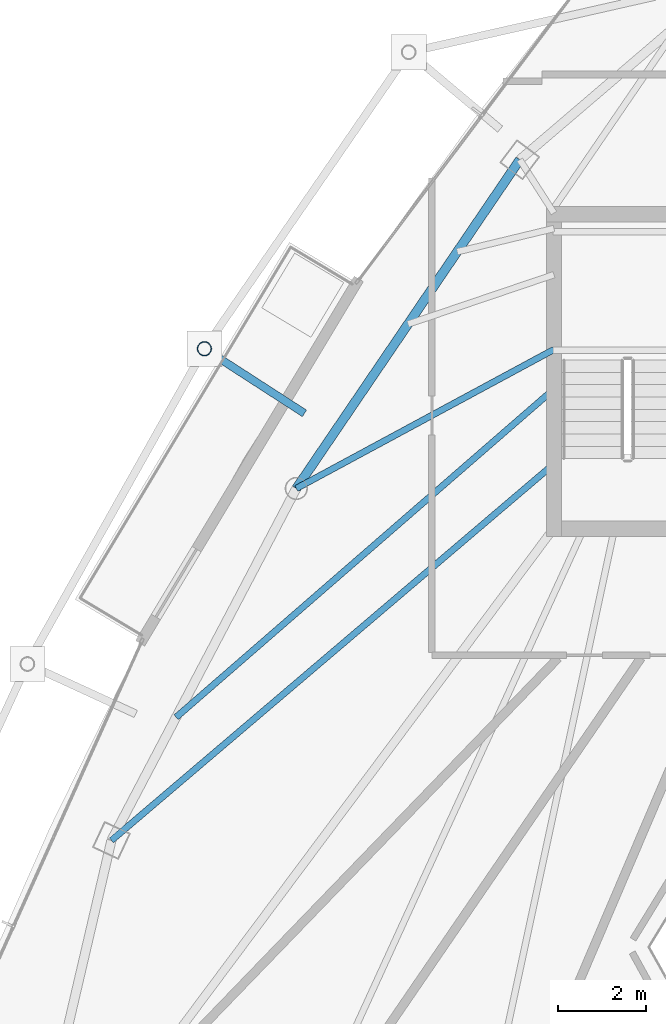
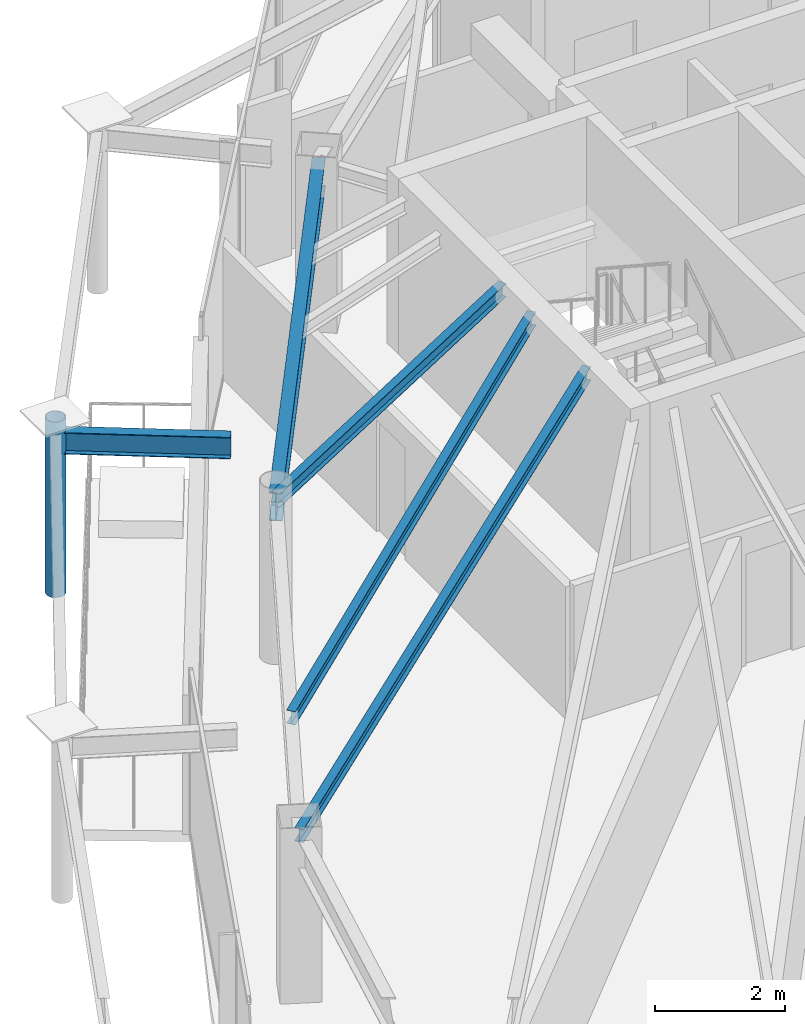
# One storey, part 11 of 28: 5 beams, 1 member.
"""IFC4 building model written with IfcOpenShell, lengths in metres."""

from ifc_helpers import new_model, si_unit, direction, frame, origin, origin_2d, place, context, subcontext, project, spatial, hollow_circle, i_section, extrude, material, material_profile, profile_set, type_object, element, save


model = new_model("IFC4")

# Units and contexts
model_context = context("Model", 3, precision=1e-05, world=origin(), true_north=direction((0.0, 1.0)))
body_context = subcontext(model_context, "Body", "Model", "MODEL_VIEW")
ifc_project = project(units=[si_unit("LENGTHUNIT", "METRE"), si_unit("AREAUNIT", "SQUARE_METRE"), si_unit("VOLUMEUNIT", "CUBIC_METRE"), si_unit("PLANEANGLEUNIT", "RADIAN"), si_unit("MASSUNIT", "GRAM", prefix="KILO")], contexts=[model_context])

# Site, building, storey
site_placement = place(None, origin())
site = spatial("IfcSite", under=ifc_project, at=site_placement, CompositionType="ELEMENT")
building_placement = place(site_placement, origin())
building = spatial("IfcBuilding", under=site, at=building_placement, Name="Orvanel Arch Residences", CompositionType="ELEMENT")
storey_placement = place(building_placement, frame((0.0, 0.0, 266.75)))
storey = spatial("IfcBuildingStorey", under=building, at=storey_placement, Name="L76", CompositionType="ELEMENT", Elevation=266.75)

# Beams
ifc_material_1 = material(Name="Structural steel AS/NZS 3679.1 Grade 300 (300 MPa)", Category="steel")
ifc_material_profile_1 = material_profile(ifc_material_1, i_section(OverallWidth=0.14599609375, OverallDepth=0.251953125, WebThickness=0.006103515625, FlangeThickness=0.008544921875, at=origin_2d()), Name="250UB31.4")
ifc_profile_set_1 = profile_set([ifc_material_profile_1], Name="Structural steel AS/NZS 3679.1 Grade 300 (300 MPa)")
beam_type_1 = type_object("IfcBeamType", Name="BJ-250UB", PredefinedType="JOIST", material=ifc_profile_set_1)
beam_1_placement = place(storey_placement, frame((26.425048828125, 30.800048828125, 2.93408203125), z_axis=(-0.880111494021, -0.474767056664, 0.0), x_axis=(0.474767056664, -0.880111494021, 0.0)))
element("IfcBeam", 1, at=beam_1_placement, inside=storey, type_object=beam_type_1, Name="L76 NW Wing Floor Joist", PredefinedType="JOIST", context=body_context, shape_type="SweptSolid", body=[
    extrude(i_section(OverallWidth=0.14599609375, OverallDepth=0.251953125, WebThickness=0.006103515625, FlangeThickness=0.008544921875, at=origin_2d()), origin(), (0.0, 0.0, 1.0), 6.653564453125),
])
beam_2_placement = place(storey_placement, frame((26.425048828125, 28.199951171875, 2.93408203125), z_axis=(-0.761622669031, -0.64802076357, 0.0), x_axis=(0.64802076357, -0.761622669031, 0.0)))
element("IfcBeam", 2, at=beam_2_placement, inside=storey, type_object=beam_type_1, Name="L76 W Wing Floor Joist", PredefinedType="JOIST", context=body_context, shape_type="SweptSolid", body=[
    extrude(i_section(OverallWidth=0.14599609375, OverallDepth=0.251953125, WebThickness=0.006103515625, FlangeThickness=0.008544921875, at=origin_2d()), origin(), (0.0, 0.0, 1.0), 13.2060546875),
])
beam_3_placement = place(storey_placement, frame((26.425048828125, 29.89990234375, 2.93408203125), z_axis=(-0.755000957585, -0.655723687269, 0.0), x_axis=(0.655723687269, -0.755000957585, 0.0)))
element("IfcBeam", 3, at=beam_3_placement, inside=storey, type_object=beam_type_1, Name="L76 CTW Wing Floor Joist", PredefinedType="JOIST", context=body_context, shape_type="SweptSolid", body=[
    extrude(i_section(OverallWidth=0.14599609375, OverallDepth=0.251953125, WebThickness=0.006103515625, FlangeThickness=0.008544921875, at=origin_2d()), origin(), (0.0, 0.0, 1.0), 11.373779296875),
])
ifc_material_profile_2 = material_profile(ifc_material_1, i_section(OverallWidth=0.177978515625, OverallDepth=0.406005859375, WebThickness=0.0078125, FlangeThickness=0.0126953125, at=origin_2d()), Name="410UB59.7")
ifc_profile_set_2 = profile_set([ifc_material_profile_2], Name="Structural steel AS/NZS 3679.1 Grade 300 (300 MPa)")
beam_type_2 = type_object("IfcBeamType", Name="OB-410UB-EXT", PredefinedType="SPANDREL", material=ifc_profile_set_2)
beam_4_placement = place(storey_placement, frame((20.7548828125, 29.347900390625, 2.85693359375), z_axis=(-0.839969157421, 0.54263414432, 0.0), x_axis=(-0.54263414432, -0.839969157421, 0.0)))
element("IfcBeam", 4, at=beam_4_placement, inside=storey, type_object=beam_type_2, Name="L76 Outer Frame Radial Tie Beam 02", PredefinedType="SPANDREL", context=body_context, shape_type="SweptSolid", body=[
    extrude(i_section(OverallWidth=0.177978515625, OverallDepth=0.406005859375, WebThickness=0.0078125, FlangeThickness=0.0126953125, at=origin_2d()), origin(), (0.0, 0.0, 1.0), 2.707275390625),
])
ifc_material_profile_3 = material_profile(ifc_material_1, i_section(OverallWidth=0.208984375, OverallDepth=0.532958984375, WebThickness=0.01025390625, FlangeThickness=0.015625, at=origin_2d()), Name="530UB92.4")
ifc_profile_set_3 = profile_set([ifc_material_profile_3], Name="Structural steel AS/NZS 3679.1 Grade 300 (300 MPa)")
beam_type_3 = type_object("IfcBeamType", Name="SP-530UB", PredefinedType="SPANDREL", material=ifc_profile_set_3)
beam_5_placement = place(storey_placement, frame((25.64794921875, 35.113037109375, 2.79296875), z_axis=(-0.562154793153, -0.827032035978, 0.0), x_axis=(0.827032035978, -0.562154793153, 0.0)))
element("IfcBeam", 5, at=beam_5_placement, inside=storey, type_object=beam_type_3, Name="L76 Perimeter Spandrel Beam 11", PredefinedType="SPANDREL", context=body_context, shape_type="SweptSolid", body=[
    extrude(i_section(OverallWidth=0.208984375, OverallDepth=0.532958984375, WebThickness=0.01025390625, FlangeThickness=0.015625, at=origin_2d()), origin(), (0.0, 0.0, 1.0), 9.03466796875),
])

# Member
ifc_material_2 = material(Name="Structural steel AS/NZS 1163 C350L0 (Grade 350)", Category="steel")
ifc_material_profile_4 = material_profile(ifc_material_2, hollow_circle(Radius=0.162109375, WallThickness=0.0126953125, at=origin_2d()), Name="CHS324x12.7")
ifc_profile_set_4 = profile_set([ifc_material_profile_4], Name="Structural steel AS/NZS 1163 C350L0 (Grade 350)")
member_type = type_object("IfcMemberType", Name="ST-324CHS-EXT", PredefinedType="STRUT", material=ifc_profile_set_4)
member_placement = place(storey_placement, frame((18.48095703125, 30.81689453125, 0.0), z_axis=(0.0, 0.0, 1.0), x_axis=(1.0, 0.0, 0.0)))
element("IfcMember", 6, at=member_placement, inside=storey, type_object=member_type, Name="L76 Outer Perimeter Frame Post 02", PredefinedType="STRUT", context=body_context, shape_type="SweptSolid", body=[
    extrude(hollow_circle(Radius=0.162109375, WallThickness=0.0126953125, at=origin_2d()), origin(), (0.0, 0.0, 1.0), 3.300048828125),
])

save(model, "model.ifc")
